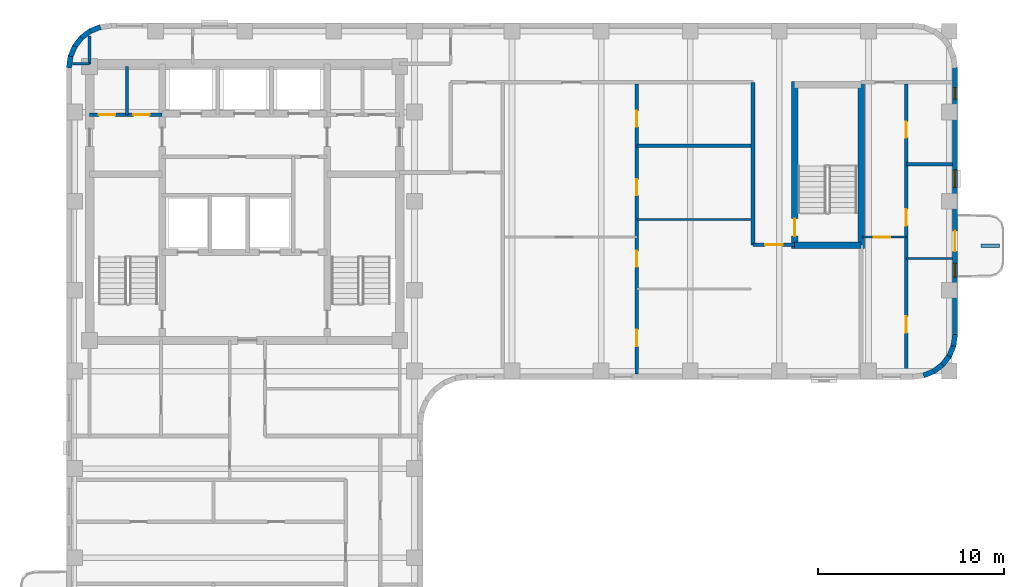
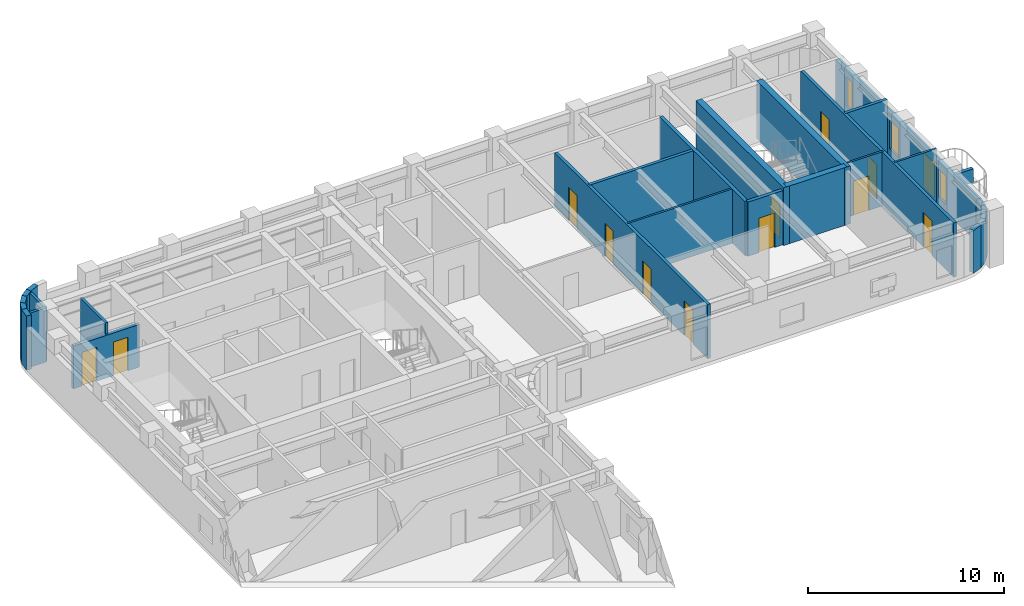
# One storey, part 5 of 10: 28 walls, 13 doors, 3 windows, 16 openings.
"""IFC4 building model written with IfcOpenShell, lengths in metres."""

from ifc_helpers import new_model, si_unit, direction, frame, frame_2d, origin, place, context, subcontext, project, spatial, rectangle, extrude, material, layer, layer_set, type_object, element, fill, save


model = new_model("IFC4")

# Units and contexts
model_context = context("Model", 3, precision=1e-05, world=origin(), true_north=direction((0.0, 1.0)))
body_context = subcontext(model_context, "Body", "Model", "MODEL_VIEW")
ifc_project = project(units=[si_unit("LENGTHUNIT", "METRE"), si_unit("AREAUNIT", "SQUARE_METRE"), si_unit("VOLUMEUNIT", "CUBIC_METRE"), si_unit("PLANEANGLEUNIT", "RADIAN"), si_unit("MASSUNIT", "GRAM", prefix="KILO")], contexts=[model_context])

# Site, building, storey
site_placement = place(None, origin())
site = spatial("IfcSite", under=ifc_project, at=site_placement, CompositionType="ELEMENT")
building_placement = place(site_placement, origin())
building = spatial("IfcBuilding", under=site, at=building_placement, Name="Orvandelia Arch Residences", CompositionType="ELEMENT")
storey_placement = place(building_placement, frame((0.0, 0.0, 229.0)))
storey = spatial("IfcBuildingStorey", under=building, at=storey_placement, Name="L60", CompositionType="ELEMENT", Elevation=229.0)

# Wall, opening, door
ifc_material_1 = material(Name="Concrete C50/60", Category="concrete")
ifc_layer_1 = layer(ifc_material_1, 0.35009765625, Name="Concrete C50/60", Category="concrete")
ifc_layer_set_1 = layer_set([ifc_layer_1], Name="Concrete C50/60")
wall_type_1 = type_object("IfcWallType", Name="WL-CORE-350", PredefinedType="SHEAR", material=ifc_layer_set_1)
wall_1_placement = place(storey_placement, frame((44.02001953125, 35.864990234375, 0.0), z_axis=(0.0, 0.0, 1.0), x_axis=(0.0, 1.0, 0.0)))
wall_1 = element("IfcWall", 1, at=wall_1_placement, inside=storey, type_object=wall_type_1, Name="East Stair Core Shear Wall L60-W", PredefinedType="SHEAR", context=body_context, shape_type="SweptSolid", body=[
    extrude(rectangle(XDim=8.969970703125, YDim=0.35009765625, at=frame_2d((4.48486328125, 0.0))), origin(), (0.0, 0.0, 1.0), 3.60009765625),
])
opening_1_placement = place(wall_1_placement, frame((0.64990234375, 0.0, 0.0)))
opening_1 = element("IfcOpeningElement", 2, at=opening_1_placement, cuts=wall_1, Name="Opening D7", PredefinedType="OPENING", context=body_context, shape_type="SweptSolid", body=[
    extrude(rectangle(XDim=0.949951171875, YDim=2.10009765625, at=frame_2d((0.47509765625, 1.050048828125))), frame((0.0, 0.18505859375, 0.0), z_axis=(0.0, -1.0, 0.0), x_axis=(1.0, 0.0, 0.0)), (0.0, 0.0, 1.0), 0.3701171875),
])
ifc_material_2 = material(Name="Pressurised Stairwell Fire Door")
door_type_1 = type_object("IfcDoorType", Name="DR-STAIR-950", OperationType="NOTDEFINED", PredefinedType="DOOR", material=ifc_material_2)
door_1_placement = place(opening_1_placement, origin())
door_1 = element("IfcDoor", 3, at=door_1_placement, inside=storey, type_object=door_type_1, Name="East Stairwell ST-3 Fire Door L60", OperationType="SINGLE_SWING_LEFT", OverallHeight=2.10009765625, OverallWidth=0.949951171875, PredefinedType="DOOR", context=body_context, shape_type="SweptSolid", body=[
    extrude(rectangle(XDim=0.949951171875, YDim=2.10009765625, at=frame_2d((0.47509765625, 1.050048828125))), frame((0.0, 0.02490234375, 0.0), z_axis=(0.0, -1.0, 0.0), x_axis=(1.0, 0.0, 0.0)), (0.0, 0.0, 1.0), 0.050048828125),
])
fill(opening_1, door_1)

# Walls
wall_2_placement = place(storey_placement, frame((47.60009765625, 35.864990234375, 0.0), z_axis=(0.0, 0.0, 1.0), x_axis=(0.0, 1.0, 0.0)))
element("IfcWall", 4, at=wall_2_placement, inside=storey, type_object=wall_type_1, Name="East Stair Core Shear Wall L60-E", PredefinedType="SHEAR", context=body_context, shape_type="SweptSolid", body=[
    extrude(rectangle(XDim=8.969970703125, YDim=0.35009765625, at=frame_2d((4.48486328125, 0.0))), origin(), (0.0, 0.0, 1.0), 3.60009765625),
])
wall_3_placement = place(storey_placement, frame((44.02001953125, 36.0400390625, 0.0), z_axis=(0.0, 0.0, 1.0), x_axis=(1.0, 0.0, 0.0)))
element("IfcWall", 5, at=wall_3_placement, inside=storey, type_object=wall_type_1, Name="East Stair Core Shear Wall L60-S", PredefinedType="SHEAR", context=body_context, shape_type="SweptSolid", body=[
    extrude(rectangle(XDim=3.580078125, YDim=0.35009765625, at=frame_2d((1.7900390625, 0.0))), origin(), (0.0, 0.0, 1.0), 3.60009765625),
])
ifc_material_3 = material(Name="Fire-Rated Corridor Partition")
ifc_layer_2 = layer(ifc_material_3, 0.199951171875, Name="Fire-Rated Corridor Partition")
ifc_layer_set_2 = layer_set([ifc_layer_2], Name="Fire-Rated Corridor Partition")
wall_type_2 = type_object("IfcWallType", Name="WL-CORR-200", PredefinedType="PARTITIONING", material=ifc_layer_set_2)
wall_4_placement = place(storey_placement, frame((41.780029296875, 36.050048828125, 0.0), z_axis=(0.0, 0.0, 1.0), x_axis=(0.0, 1.0, 0.0)))
element("IfcWall", 6, at=wall_4_placement, inside=storey, type_object=wall_type_2, Name="Interior Partition Wall WL-L60-EN2-SW", PredefinedType="PARTITIONING", context=body_context, shape_type="SweptSolid", body=[
    extrude(rectangle(XDim=8.75, YDim=0.199951171875, at=frame_2d((4.375, 0.0))), origin(), (0.0, 0.0, 1.0), 3.3798828125),
])

# Wall, opening, door
wall_5_placement = place(storey_placement, frame((41.780029296875, 36.050048828125, 0.0), z_axis=(0.0, 0.0, 1.0), x_axis=(1.0, 0.0, 0.0)))
wall_5 = element("IfcWall", 7, at=wall_5_placement, inside=storey, type_object=wall_type_2, Name="Interior Partition Wall WL-L60-EN2-SS", PredefinedType="PARTITIONING", context=body_context, shape_type="SweptSolid", body=[
    extrude(rectangle(XDim=2.239990234375, YDim=0.199951171875, at=frame_2d((1.1201171875, 0.0))), origin(), (0.0, 0.0, 1.0), 3.3798828125),
])
opening_2_placement = place(wall_5_placement, frame((0.64990234375, 0.0, 0.0)))
opening_2 = element("IfcOpeningElement", 8, at=opening_2_placement, cuts=wall_5, Name="Opening D2", PredefinedType="OPENING", context=body_context, shape_type="SweptSolid", body=[
    extrude(rectangle(XDim=0.949951171875, YDim=2.14990234375, at=frame_2d((0.47509765625, 1.074951171875))), frame((0.0, 0.10986328125, 0.0), z_axis=(0.0, -1.0, 0.0), x_axis=(1.0, 0.0, 0.0)), (0.0, 0.0, 1.0), 0.219970703125),
])
ifc_material_4 = material(Name="Solid-Core Timber Interior Fire Door", Category="wood")
door_type_2 = type_object("IfcDoorType", Name="DR-APT-950", OperationType="NOTDEFINED", PredefinedType="DOOR", material=ifc_material_4)
door_2_placement = place(opening_2_placement, origin())
door_2 = element("IfcDoor", 9, at=door_2_placement, inside=storey, type_object=door_type_2, Name="DR-L60-EN2SLN", OperationType="SINGLE_SWING_LEFT", OverallHeight=2.14990234375, OverallWidth=0.949951171875, PredefinedType="DOOR", context=body_context, shape_type="SweptSolid", body=[
    extrude(rectangle(XDim=0.949951171875, YDim=2.14990234375, at=frame_2d((0.47509765625, 1.074951171875))), frame((0.0, 0.02490234375, 0.0), z_axis=(0.0, -1.0, 0.0), x_axis=(1.0, 0.0, 0.0)), (0.0, 0.0, 1.0), 0.050048828125),
])
fill(opening_2, door_2)

# Walls
ifc_material_5 = material(Name="Precast concrete C40/50", Category="concrete")
ifc_layer_3 = layer(ifc_material_5, 0.280029296875, Name="Precast concrete C40/50", Category="concrete")
ifc_layer_set_3 = layer_set([ifc_layer_3], Name="Precast concrete C40/50")
wall_type_3 = type_object("IfcWallType", Name="WL-EXT-STONE-280", PredefinedType="STANDARD", material=ifc_layer_set_3)
for number, where, z_axis, x_axis, name in (
    (10, (4.938720703125, 45.581787109375, 0.0), (0.0, 0.0, 1.0), (0.130555323746, 0.9914410257, 0.0), "Coral-Limestone Precast Facade Wall L60-001"),
    (11, (5.010986328125, 46.16748046875, 0.0), (0.0, 0.0, 1.0), (0.382650053678, 0.92389335771, 0.0), "Coral-Limestone Precast Facade Wall L60-002"),
    (12, (5.232666015625, 46.71484375, 0.0), (0.0, 0.0, 1.0), (0.608693302629, 0.793405610854, 0.0), "Coral-Limestone Precast Facade Wall L60-003"),
    (13, (5.588134765625, 47.18603515625, 0.0), (0.0, 0.0, 1.0), (0.793405610854, 0.608693302629, 0.0), "Coral-Limestone Precast Facade Wall L60-004"),
):
    element("IfcWall", number, at=place(storey_placement, frame(where, z_axis=z_axis, x_axis=x_axis)), inside=storey, type_object=wall_type_3, Name=name, PredefinedType="STANDARD", context=body_context, shape_type="SweptSolid", body=[
        extrude(rectangle(XDim=0.62646484375, YDim=0.280029296875, at=frame_2d((0.313232421875, 0.0))), origin(), (0.0, 0.0, 1.0), 3.3798828125),
    ])
wall_6_placement = place(storey_placement, frame((6.0537109375, 47.54931640625, 0.0), z_axis=(0.0, 0.0, 1.0), x_axis=(0.923974080304, 0.382455093999, 0.0)))
element("IfcWall", 14, at=wall_6_placement, inside=storey, type_object=wall_type_3, Name="Coral-Limestone Precast Facade Wall L60-005", PredefinedType="STANDARD", context=body_context, shape_type="SweptSolid", body=[
    extrude(rectangle(XDim=0.626220703125, YDim=0.280029296875, at=frame_2d((0.31298828125, 0.0))), origin(), (0.0, 0.0, 1.0), 3.3798828125),
])

# Wall, openings, door, windows
wall_7_placement = place(storey_placement, frame((52.659912109375, 45.60009765625, 0.0), z_axis=(0.0, 0.0, 1.0), x_axis=(0.0, -1.0, 0.0)))
wall_7 = element("IfcWall", 15, at=wall_7_placement, inside=storey, type_object=wall_type_3, Name="Coral-Limestone Precast Facade Wall L60-014", PredefinedType="STANDARD", context=body_context, shape_type="SweptSolid", body=[
    extrude(rectangle(XDim=14.400146484375, YDim=0.280029296875, at=frame_2d((7.2001953125, 0.0))), origin(), (0.0, 0.0, 1.0), 2.659912109375),
])
opening_3_placement = place(wall_7_placement, frame((8.800048828125, 0.0, 0.0)))
opening_3 = element("IfcOpeningElement", 16, at=opening_3_placement, cuts=wall_7, Name="Opening BD1", PredefinedType="OPENING", context=body_context, shape_type="SweptSolid", body=[
    extrude(rectangle(XDim=1.10009765625, YDim=2.14990234375, at=frame_2d((0.550048828125, 1.074951171875))), frame((0.0, 0.14990234375, 0.0), z_axis=(0.0, -1.0, 0.0), x_axis=(1.0, 0.0, 0.0)), (0.0, 0.0, 1.0), 0.300048828125),
])
opening_4_placement = place(wall_7_placement, frame((10.54443359375, 0.0, 0.449951171875)))
opening_4 = element("IfcOpeningElement", 17, at=opening_4_placement, cuts=wall_7, Name="Opening W11", PredefinedType="OPENING", context=body_context, shape_type="SweptSolid", body=[
    extrude(rectangle(XDim=0.75, YDim=1.800048828125, at=frame_2d((0.375, 0.89990234375))), frame((0.0, 0.14990234375, 0.0), z_axis=(0.0, -1.0, 0.0), x_axis=(1.0, 0.0, 0.0)), (0.0, 0.0, 1.0), 0.300048828125),
])
opening_5_placement = place(wall_7_placement, frame((1.08740234375, 0.0, 0.449951171875)))
opening_5 = element("IfcOpeningElement", 18, at=opening_5_placement, cuts=wall_7, Name="Opening W12", PredefinedType="OPENING", context=body_context, shape_type="SweptSolid", body=[
    extrude(rectangle(XDim=0.60009765625, YDim=1.800048828125, at=frame_2d((0.300048828125, 0.89990234375))), frame((0.0, 0.14990234375, 0.0), z_axis=(0.0, -1.0, 0.0), x_axis=(1.0, 0.0, 0.0)), (0.0, 0.0, 1.0), 0.300048828125),
])
opening_6_placement = place(wall_7_placement, frame((5.510986328125, 0.0, 0.449951171875)))
opening_6 = element("IfcOpeningElement", 19, at=opening_6_placement, cuts=wall_7, Name="Opening W4", PredefinedType="OPENING", context=body_context, shape_type="SweptSolid", body=[
    extrude(rectangle(XDim=0.949951171875, YDim=1.800048828125, at=frame_2d((0.47509765625, 0.89990234375))), frame((0.0, 0.14990234375, 0.0), z_axis=(0.0, -1.0, 0.0), x_axis=(1.0, 0.0, 0.0)), (0.0, 0.0, 1.0), 0.300048828125),
])
ifc_material_6 = material(Name="Thermally Broken Aluminium Glazed Door", Category="aluminium")
door_type_3 = type_object("IfcDoorType", Name="DR-BAL-GLAZ-1100", OperationType="NOTDEFINED", PredefinedType="DOOR", material=ifc_material_6)
door_3_placement = place(opening_3_placement, origin())
door_3 = element("IfcDoor", 20, at=door_3_placement, inside=storey, type_object=door_type_3, Name="Tree Balcony Glazed Door BAL-L60-E1", OperationType="SINGLE_SWING_LEFT", OverallHeight=2.14990234375, OverallWidth=1.10009765625, PredefinedType="DOOR", context=body_context, shape_type="SweptSolid", body=[
    extrude(rectangle(XDim=1.10009765625, YDim=2.14990234375, at=frame_2d((0.550048828125, 1.074951171875))), frame((0.0, 0.02490234375, 0.0), z_axis=(0.0, -1.0, 0.0), x_axis=(1.0, 0.0, 0.0)), (0.0, 0.0, 1.0), 0.050048828125),
])
fill(opening_3, door_3)
ifc_material_7 = material(Name="Tempered Low-E Insulated Glazing", Category="glass")
window_type_1 = type_object("IfcWindowType", Name="WIN-BED-0750x1800", PartitioningType="SINGLE_PANEL", PredefinedType="WINDOW", material=ifc_material_7)
window_1_placement = place(opening_4_placement, origin())
window_1 = element("IfcWindow", 21, at=window_1_placement, inside=storey, type_object=window_type_1, Name="Recessed Punched Window L60-004", OverallHeight=1.800048828125, OverallWidth=0.75, PartitioningType="SINGLE_PANEL", PredefinedType="WINDOW", context=body_context, shape_type="SweptSolid", body=[
    extrude(rectangle(XDim=0.75, YDim=1.800048828125, at=frame_2d((0.375, 0.89990234375))), frame((0.0, 0.030029296875, 0.0), z_axis=(0.0, -1.0, 0.0), x_axis=(1.0, 0.0, 0.0)), (0.0, 0.0, 1.0), 0.06005859375),
])
fill(opening_4, window_1)
window_type_2 = type_object("IfcWindowType", Name="WIN-LAN-0600x1800", PartitioningType="SINGLE_PANEL", PredefinedType="WINDOW", material=ifc_material_7)
window_2_placement = place(opening_5_placement, origin())
window_2 = element("IfcWindow", 22, at=window_2_placement, inside=storey, type_object=window_type_2, Name="Recessed Punched Window L60-005", OverallHeight=1.800048828125, OverallWidth=0.60009765625, PartitioningType="SINGLE_PANEL", PredefinedType="WINDOW", context=body_context, shape_type="SweptSolid", body=[
    extrude(rectangle(XDim=0.60009765625, YDim=1.800048828125, at=frame_2d((0.300048828125, 0.89990234375))), frame((0.0, 0.030029296875, 0.0), z_axis=(0.0, -1.0, 0.0), x_axis=(1.0, 0.0, 0.0)), (0.0, 0.0, 1.0), 0.06005859375),
])
fill(opening_5, window_2)
window_type_3 = type_object("IfcWindowType", Name="WIN-RES-0950x1800", PartitioningType="SINGLE_PANEL", PredefinedType="WINDOW", material=ifc_material_7)
window_3_placement = place(opening_6_placement, origin())
window_3 = element("IfcWindow", 23, at=window_3_placement, inside=storey, type_object=window_type_3, Name="Recessed Punched Window L60-006", OverallHeight=1.800048828125, OverallWidth=0.949951171875, PartitioningType="SINGLE_PANEL", PredefinedType="WINDOW", context=body_context, shape_type="SweptSolid", body=[
    extrude(rectangle(XDim=0.949951171875, YDim=1.800048828125, at=frame_2d((0.47509765625, 0.89990234375))), frame((0.0, 0.030029296875, 0.0), z_axis=(0.0, -1.0, 0.0), x_axis=(1.0, 0.0, 0.0)), (0.0, 0.0, 1.0), 0.06005859375),
])
fill(opening_6, window_3)

# Walls
wall_8_placement = place(storey_placement, frame((52.6611328125, 31.21826171875, 0.0), z_axis=(0.0, 0.0, 1.0), x_axis=(-0.130555323746, -0.9914410257, 0.0)))
element("IfcWall", 24, at=wall_8_placement, inside=storey, type_object=wall_type_3, Name="Coral-Limestone Precast Facade Wall L60-015", PredefinedType="STANDARD", context=body_context, shape_type="SweptSolid", body=[
    extrude(rectangle(XDim=0.62646484375, YDim=0.280029296875, at=frame_2d((0.313232421875, 0.0))), origin(), (0.0, 0.0, 1.0), 2.659912109375),
])
wall_9_placement = place(storey_placement, frame((52.5888671875, 30.63232421875, 0.0), z_axis=(0.0, 0.0, 1.0), x_axis=(-0.382787856107, -0.923836271867, 0.0)))
element("IfcWall", 25, at=wall_9_placement, inside=storey, type_object=wall_type_3, Name="Coral-Limestone Precast Facade Wall L60-016", PredefinedType="STANDARD", context=body_context, shape_type="SweptSolid", body=[
    extrude(rectangle(XDim=0.626220703125, YDim=0.280029296875, at=frame_2d((0.31298828125, 0.0))), origin(), (0.0, 0.0, 1.0), 2.659912109375),
])
for number, where, z_axis, x_axis, name in (
    (26, (52.367431640625, 30.085205078125, 0.0), (0.0, 0.0, 1.0), (-0.608693302629, -0.793405610854, 0.0), "Coral-Limestone Precast Facade Wall L60-017"),
    (27, (52.011962890625, 29.614013671875, 0.0), (0.0, 0.0, 1.0), (-0.793405610854, -0.608693302629, 0.0), "Coral-Limestone Precast Facade Wall L60-018"),
    (28, (51.54638671875, 29.250732421875, 0.0), (0.0, 0.0, 1.0), (-0.92389335771, -0.382650053678, 0.0), "Coral-Limestone Precast Facade Wall L60-019"),
):
    element("IfcWall", number, at=place(storey_placement, frame(where, z_axis=z_axis, x_axis=x_axis)), inside=storey, type_object=wall_type_3, Name=name, PredefinedType="STANDARD", context=body_context, shape_type="SweptSolid", body=[
        extrude(rectangle(XDim=0.62646484375, YDim=0.280029296875, at=frame_2d((0.313232421875, 0.0))), origin(), (0.0, 0.0, 1.0), 2.659912109375),
    ])
ifc_material_8 = material(Name="Lightweight Gypsum Stud Partition")
ifc_layer_4 = layer(ifc_material_8, 0.1201171875, Name="Lightweight Gypsum Stud Partition")
ifc_layer_set_4 = layer_set([ifc_layer_4], Name="Lightweight Gypsum Stud Partition")
wall_type_4 = type_object("IfcWallType", Name="WL-PART-120", PredefinedType="PARTITIONING", material=ifc_layer_set_4)
wall_10_placement = place(storey_placement, frame((35.528076171875, 37.4208984375, 0.0), z_axis=(0.0, 0.0, 1.0), x_axis=(1.0, 0.0, 0.0)))
element("IfcWall", 29, at=wall_10_placement, inside=storey, type_object=wall_type_4, Name="Interior Partition Wall WL-L60-U04-H1B", PredefinedType="PARTITIONING", context=body_context, shape_type="SweptSolid", body=[
    extrude(rectangle(XDim=6.15185546875, YDim=0.1201171875, at=frame_2d((3.075927734375, 0.0))), origin(), (0.0, 0.0, 1.0), 3.3798828125),
])

# Wall, opening, door
wall_11_placement = place(storey_placement, frame((47.639892578125, 36.468017578125, 0.0), z_axis=(0.0, 0.0, 1.0), x_axis=(1.0, 0.0, 0.0)))
wall_11 = element("IfcWall", 30, at=wall_11_placement, inside=storey, type_object=wall_type_4, Name="Interior Partition Wall WL-L60-U05-DIN", PredefinedType="PARTITIONING", context=body_context, shape_type="SweptSolid", body=[
    extrude(rectangle(XDim=2.403076171875, YDim=0.1201171875, at=frame_2d((1.20166015625, 0.0))), origin(), (0.0, 0.0, 1.0), 3.3798828125),
])
opening_7_placement = place(wall_11_placement, frame((0.640380859375, 0.0, 0.0)))
opening_7 = element("IfcOpeningElement", 31, at=opening_7_placement, cuts=wall_11, Name="Opening D3", PredefinedType="OPENING", context=body_context, shape_type="SweptSolid", body=[
    extrude(rectangle(XDim=0.89990234375, YDim=2.14990234375, at=frame_2d((0.449951171875, 1.074951171875))), frame((0.0, 0.070068359375, 0.0), z_axis=(0.0, -1.0, 0.0), x_axis=(1.0, 0.0, 0.0)), (0.0, 0.0, 1.0), 0.14013671875),
])
ifc_material_9 = material(Name="Engineered Timber Flush Door", Category="wood")
door_type_4 = type_object("IfcDoorType", Name="DR-INT-900", OperationType="NOTDEFINED", PredefinedType="DOOR", material=ifc_material_9)
door_4_placement = place(opening_7_placement, origin())
door_4 = element("IfcDoor", 32, at=door_4_placement, inside=storey, type_object=door_type_4, Name="DR-L60-U05-DIN", OperationType="SINGLE_SWING_RIGHT", OverallHeight=2.14990234375, OverallWidth=0.89990234375, PredefinedType="DOOR", context=body_context, shape_type="SweptSolid", body=[
    extrude(rectangle(XDim=0.89990234375, YDim=2.14990234375, at=frame_2d((0.449951171875, 1.074951171875))), frame((0.0, 0.02490234375, 0.0), z_axis=(0.0, -1.0, 0.0), x_axis=(1.0, 0.0, 0.0)), (0.0, 0.0, 1.0), 0.050048828125),
])
fill(opening_7, door_4)

# Walls
wall_12_placement = place(storey_placement, frame((50.04296875, 35.31591796875, 0.0), z_axis=(0.0, 0.0, 1.0), x_axis=(1.0, 0.0, 0.0)))
element("IfcWall", 33, at=wall_12_placement, inside=storey, type_object=wall_type_4, Name="Interior Partition Wall WL-L60-U05-H1", PredefinedType="PARTITIONING", context=body_context, shape_type="SweptSolid", body=[
    extrude(rectangle(XDim=2.47705078125, YDim=0.1201171875, at=frame_2d((1.238525390625, 0.0))), origin(), (0.0, 0.0, 1.0), 3.3798828125),
])
ifc_material_10 = material(Name="Acoustic Gypsum Stud Partition")
ifc_layer_5 = layer(ifc_material_10, 0.14990234375, Name="Acoustic Gypsum Stud Partition")
ifc_layer_set_5 = layer_set([ifc_layer_5], Name="Acoustic Gypsum Stud Partition")
wall_type_5 = type_object("IfcWallType", Name="WL-PART-150", PredefinedType="PARTITIONING", material=ifc_layer_set_5)
wall_13_placement = place(storey_placement, frame((8.06005859375, 43.050048828125, 0.0), z_axis=(0.0, 0.0, 1.0), x_axis=(0.0, 1.0, 0.0)))
element("IfcWall", 34, at=wall_13_placement, inside=storey, type_object=wall_type_5, Name="Interior Partition Wall WL-L60-CRELC-M", PredefinedType="PARTITIONING", context=body_context, shape_type="SweptSolid", body=[
    extrude(rectangle(XDim=2.599853515625, YDim=0.14990234375, at=frame_2d((1.2998046875, 0.0))), origin(), (0.0, 0.0, 1.0), 3.3798828125),
])
wall_14_placement = place(storey_placement, frame((5.1201171875, 45.800048828125, 0.0), z_axis=(0.0, 0.0, 1.0), x_axis=(1.0, 0.0, 0.0)))
element("IfcWall", 35, at=wall_14_placement, inside=storey, type_object=wall_type_5, Name="Interior Partition Wall WL-L60-WF-N", PredefinedType="PARTITIONING", context=body_context, shape_type="SweptSolid", body=[
    extrude(rectangle(XDim=0.929931640625, YDim=0.14990234375, at=frame_2d((0.46484375, 0.0))), origin(), (0.0, 0.0, 1.0), 3.3798828125),
])
wall_15_placement = place(storey_placement, frame((6.050048828125, 45.800048828125, 0.0), z_axis=(0.0, 0.0, 1.0), x_axis=(0.0, 1.0, 0.0)))
element("IfcWall", 36, at=wall_15_placement, inside=storey, type_object=wall_type_5, Name="Interior Partition Wall WL-L60-NC-W6", PredefinedType="PARTITIONING", context=body_context, shape_type="SweptSolid", body=[
    extrude(rectangle(XDim=1.5, YDim=0.14990234375, at=frame_2d((0.75, 0.0))), origin(), (0.0, 0.0, 1.0), 3.3798828125),
])
ifc_layer_6 = layer(ifc_material_5, 0.199951171875, Name="Precast concrete C40/50", Category="concrete")
ifc_layer_set_6 = layer_set([ifc_layer_6], Name="Precast concrete C40/50")
wall_type_6 = type_object("IfcWallType", Name="WL-PLANTER-200", PredefinedType="MOVABLE", material=ifc_layer_set_6)
wall_16_placement = place(storey_placement, frame((54.050048828125, 36.0, 0.0), z_axis=(0.0, 0.0, 1.0), x_axis=(1.0, 0.0, 0.0)))
element("IfcWall", 37, at=wall_16_placement, inside=storey, type_object=wall_type_6, Name="Balcony Precast Tree Planter BAL-L60-E1", PredefinedType="MOVABLE", context=body_context, shape_type="SweptSolid", body=[
    extrude(rectangle(XDim=1.0, YDim=0.199951171875, at=frame_2d((0.5, 0.0))), origin(), (0.0, 0.0, 1.0), 0.85009765625),
])

# Wall, openings, doors
ifc_material_11 = material(Name="Fire-Rated Shaft Enclosure Wall")
ifc_layer_7 = layer(ifc_material_11, 0.199951171875, Name="Fire-Rated Shaft Enclosure Wall")
ifc_layer_set_7 = layer_set([ifc_layer_7], Name="Fire-Rated Shaft Enclosure Wall")
wall_type_7 = type_object("IfcWallType", Name="WL-SHAFT-200", PredefinedType="POLYGONAL", material=ifc_layer_set_7)
wall_17_placement = place(storey_placement, frame((6.050048828125, 43.050048828125, 0.0), z_axis=(0.0, 0.0, 1.0), x_axis=(1.0, 0.0, 0.0)))
wall_17 = element("IfcWall", 38, at=wall_17_placement, inside=storey, type_object=wall_type_7, Name="Interior Partition Wall WL-L60-HLW-N", PredefinedType="POLYGONAL", context=body_context, shape_type="SweptSolid", body=[
    extrude(rectangle(XDim=3.909912109375, YDim=0.199951171875, at=frame_2d((1.955078125, 0.0))), origin(), (0.0, 0.0, 1.0), 2.659912109375),
])
opening_8_placement = place(wall_17_placement, frame((0.5, 0.0, 0.0)))
opening_8 = element("IfcOpeningElement", 39, at=opening_8_placement, cuts=wall_17, Name="Opening D5", PredefinedType="OPENING", context=body_context, shape_type="SweptSolid", body=[
    extrude(rectangle(XDim=0.8798828125, YDim=2.10009765625, at=frame_2d((0.43994140625, 1.050048828125))), frame((0.0, 0.10986328125, 0.0), z_axis=(0.0, -1.0, 0.0), x_axis=(1.0, 0.0, 0.0)), (0.0, 0.0, 1.0), 0.219970703125),
])
opening_9_placement = place(wall_17_placement, frame((2.35009765625, 0.0, 0.0)))
opening_9 = element("IfcOpeningElement", 40, at=opening_9_placement, cuts=wall_17, Name="Opening D5", PredefinedType="OPENING", context=body_context, shape_type="SweptSolid", body=[
    extrude(rectangle(XDim=0.8798828125, YDim=2.10009765625, at=frame_2d((0.43994140625, 1.050048828125))), frame((0.0, 0.10986328125, 0.0), z_axis=(0.0, -1.0, 0.0), x_axis=(1.0, 0.0, 0.0)), (0.0, 0.0, 1.0), 0.219970703125),
])
ifc_material_12 = material(Name="Painted Galvanised Steel Service Door", Category="steel")
door_type_5 = type_object("IfcDoorType", Name="DR-SRV-880", OperationType="NOTDEFINED", PredefinedType="DOOR", material=ifc_material_12)
door_5_placement = place(opening_8_placement, origin())
door_5 = element("IfcDoor", 41, at=door_5_placement, inside=storey, type_object=door_type_5, Name="DR-L60-CRELC1", OperationType="SINGLE_SWING_LEFT", OverallHeight=2.10009765625, OverallWidth=0.8798828125, PredefinedType="DOOR", context=body_context, shape_type="SweptSolid", body=[
    extrude(rectangle(XDim=0.8798828125, YDim=2.10009765625, at=frame_2d((0.43994140625, 1.050048828125))), frame((0.0, 0.02490234375, 0.0), z_axis=(0.0, -1.0, 0.0), x_axis=(1.0, 0.0, 0.0)), (0.0, 0.0, 1.0), 0.050048828125),
])
fill(opening_8, door_5)
door_6_placement = place(opening_9_placement, origin())
door_6 = element("IfcDoor", 42, at=door_6_placement, inside=storey, type_object=door_type_5, Name="DR-L60-CRELC2", OperationType="SINGLE_SWING_RIGHT", OverallHeight=2.10009765625, OverallWidth=0.8798828125, PredefinedType="DOOR", context=body_context, shape_type="SweptSolid", body=[
    extrude(rectangle(XDim=0.8798828125, YDim=2.10009765625, at=frame_2d((0.43994140625, 1.050048828125))), frame((0.0, 0.02490234375, 0.0), z_axis=(0.0, -1.0, 0.0), x_axis=(1.0, 0.0, 0.0)), (0.0, 0.0, 1.0), 0.050048828125),
])
fill(opening_9, door_6)

ifc_material_13 = material(Name="Moisture-Resistant Plumbing Wall")
ifc_layer_8 = layer(ifc_material_13, 0.179931640625, Name="Moisture-Resistant Plumbing Wall")
ifc_layer_set_8 = layer_set([ifc_layer_8], Name="Moisture-Resistant Plumbing Wall")
wall_type_8 = type_object("IfcWallType", Name="WL-WET-180", PredefinedType="PLUMBINGWALL", material=ifc_layer_set_8)
wall_18_placement = place(storey_placement, frame((35.528076171875, 29.080078125, 0.0), z_axis=(0.0, 0.0, 1.0), x_axis=(0.0, 1.0, 0.0)))
wall_18 = element("IfcWall", 43, at=wall_18_placement, inside=storey, type_object=wall_type_8, Name="Interior Partition Wall WL-L60-U04-VT", PredefinedType="PLUMBINGWALL", context=body_context, shape_type="SweptSolid", body=[
    extrude(rectangle(XDim=15.619873046875, YDim=0.179931640625, at=frame_2d((7.81005859375, 0.0))), origin(), (0.0, 0.0, 1.0), 3.3798828125),
])
opening_10_placement = place(wall_18_placement, frame((1.5048828125, 0.0, 0.0)))
opening_10 = element("IfcOpeningElement", 44, at=opening_10_placement, cuts=wall_18, Name="Opening D3", PredefinedType="OPENING", context=body_context, shape_type="SweptSolid", body=[
    extrude(rectangle(XDim=0.89990234375, YDim=2.14990234375, at=frame_2d((0.449951171875, 1.074951171875))), frame((0.0, 0.10009765625, 0.0), z_axis=(0.0, -1.0, 0.0), x_axis=(1.0, 0.0, 0.0)), (0.0, 0.0, 1.0), 0.199951171875),
])
opening_11_placement = place(wall_18_placement, frame((5.783447265625, 0.0, 0.0)))
opening_11 = element("IfcOpeningElement", 45, at=opening_11_placement, cuts=wall_18, Name="Opening D4", PredefinedType="OPENING", context=body_context, shape_type="SweptSolid", body=[
    extrude(rectangle(XDim=0.860107421875, YDim=2.10009765625, at=frame_2d((0.43017578125, 1.050048828125))), frame((0.0, 0.10009765625, 0.0), z_axis=(0.0, -1.0, 0.0), x_axis=(1.0, 0.0, 0.0)), (0.0, 0.0, 1.0), 0.199951171875),
])
opening_12_placement = place(wall_18_placement, frame((9.632568359375, 0.0, 0.0)))
opening_12 = element("IfcOpeningElement", 46, at=opening_12_placement, cuts=wall_18, Name="Opening D4", PredefinedType="OPENING", context=body_context, shape_type="SweptSolid", body=[
    extrude(rectangle(XDim=0.860107421875, YDim=2.10009765625, at=frame_2d((0.43017578125, 1.050048828125))), frame((0.0, 0.10009765625, 0.0), z_axis=(0.0, -1.0, 0.0), x_axis=(1.0, 0.0, 0.0)), (0.0, 0.0, 1.0), 0.199951171875),
])
opening_13_placement = place(wall_18_placement, frame((13.327392578125, 0.0, 0.0)))
opening_13 = element("IfcOpeningElement", 47, at=opening_13_placement, cuts=wall_18, Name="Opening D4", PredefinedType="OPENING", context=body_context, shape_type="SweptSolid", body=[
    extrude(rectangle(XDim=0.860107421875, YDim=2.10009765625, at=frame_2d((0.43017578125, 1.050048828125))), frame((0.0, 0.10009765625, 0.0), z_axis=(0.0, -1.0, 0.0), x_axis=(1.0, 0.0, 0.0)), (0.0, 0.0, 1.0), 0.199951171875),
])
door_7_placement = place(opening_10_placement, origin())
door_7 = element("IfcDoor", 48, at=door_7_placement, inside=storey, type_object=door_type_4, Name="DR-L60-U04-BD1", OperationType="SINGLE_SWING_RIGHT", OverallHeight=2.14990234375, OverallWidth=0.89990234375, PredefinedType="DOOR", context=body_context, shape_type="SweptSolid", body=[
    extrude(rectangle(XDim=0.89990234375, YDim=2.14990234375, at=frame_2d((0.449951171875, 1.074951171875))), frame((0.0, 0.02490234375, 0.0), z_axis=(0.0, -1.0, 0.0), x_axis=(1.0, 0.0, 0.0)), (0.0, 0.0, 1.0), 0.050048828125),
])
fill(opening_10, door_7)
ifc_material_14 = material(Name="Moisture-Sealed Timber Bathroom Door", Category="wood")
door_type_6 = type_object("IfcDoorType", Name="DR-WET-900", OperationType="NOTDEFINED", PredefinedType="DOOR", material=ifc_material_14)
door_8_placement = place(opening_11_placement, origin())
door_8 = element("IfcDoor", 49, at=door_8_placement, inside=storey, type_object=door_type_6, Name="DR-L60-U04-STDY", OperationType="SINGLE_SWING_LEFT", OverallHeight=2.10009765625, OverallWidth=0.860107421875, PredefinedType="DOOR", context=body_context, shape_type="SweptSolid", body=[
    extrude(rectangle(XDim=0.860107421875, YDim=2.10009765625, at=frame_2d((0.43017578125, 1.050048828125))), frame((0.0, 0.02490234375, 0.0), z_axis=(0.0, -1.0, 0.0), x_axis=(1.0, 0.0, 0.0)), (0.0, 0.0, 1.0), 0.050048828125),
])
fill(opening_11, door_8)
door_9_placement = place(opening_12_placement, origin())
door_9 = element("IfcDoor", 50, at=door_9_placement, inside=storey, type_object=door_type_6, Name="DR-L60-U04-KIT", OperationType="SINGLE_SWING_RIGHT", OverallHeight=2.10009765625, OverallWidth=0.860107421875, PredefinedType="DOOR", context=body_context, shape_type="SweptSolid", body=[
    extrude(rectangle(XDim=0.860107421875, YDim=2.10009765625, at=frame_2d((0.43017578125, 1.050048828125))), frame((0.0, 0.02490234375, 0.0), z_axis=(0.0, -1.0, 0.0), x_axis=(1.0, 0.0, 0.0)), (0.0, 0.0, 1.0), 0.050048828125),
])
fill(opening_12, door_9)
door_10_placement = place(opening_13_placement, origin())
door_10 = element("IfcDoor", 51, at=door_10_placement, inside=storey, type_object=door_type_6, Name="DR-L60-U04-BTH", OperationType="SINGLE_SWING_LEFT", OverallHeight=2.10009765625, OverallWidth=0.860107421875, PredefinedType="DOOR", context=body_context, shape_type="SweptSolid", body=[
    extrude(rectangle(XDim=0.860107421875, YDim=2.10009765625, at=frame_2d((0.43017578125, 1.050048828125))), frame((0.0, 0.02490234375, 0.0), z_axis=(0.0, -1.0, 0.0), x_axis=(1.0, 0.0, 0.0)), (0.0, 0.0, 1.0), 0.050048828125),
])
fill(opening_13, door_10)

# Wall
wall_19_placement = place(storey_placement, frame((35.528076171875, 41.39111328125, 0.0), z_axis=(0.0, 0.0, 1.0), x_axis=(1.0, 0.0, 0.0)))
element("IfcWall", 52, at=wall_19_placement, inside=storey, type_object=wall_type_8, Name="Interior Partition Wall WL-L60-U04-H2", PredefinedType="PLUMBINGWALL", context=body_context, shape_type="SweptSolid", body=[
    extrude(rectangle(XDim=6.15185546875, YDim=0.179931640625, at=frame_2d((3.075927734375, 0.0))), origin(), (0.0, 0.0, 1.0), 3.3798828125),
])

# Wall, openings, doors
wall_20_placement = place(storey_placement, frame((50.04296875, 29.080078125, 0.0), z_axis=(0.0, 0.0, 1.0), x_axis=(0.0, 1.0, 0.0)))
wall_20 = element("IfcWall", 53, at=wall_20_placement, inside=storey, type_object=wall_type_8, Name="Interior Partition Wall WL-L60-U05-VT", PredefinedType="PLUMBINGWALL", context=body_context, shape_type="SweptSolid", body=[
    extrude(rectangle(XDim=15.619873046875, YDim=0.179931640625, at=frame_2d((7.81005859375, 0.0))), origin(), (0.0, 0.0, 1.0), 3.3798828125),
])
opening_14_placement = place(wall_20_placement, frame((2.22265625, 0.0, 0.0)))
opening_14 = element("IfcOpeningElement", 54, at=opening_14_placement, cuts=wall_20, Name="Opening D3", PredefinedType="OPENING", context=body_context, shape_type="SweptSolid", body=[
    extrude(rectangle(XDim=0.89990234375, YDim=2.14990234375, at=frame_2d((0.449951171875, 1.074951171875))), frame((0.0, 0.10009765625, 0.0), z_axis=(0.0, -1.0, 0.0), x_axis=(1.0, 0.0, 0.0)), (0.0, 0.0, 1.0), 0.199951171875),
])
opening_15_placement = place(wall_20_placement, frame((7.998779296875, 0.0, 0.0)))
opening_15 = element("IfcOpeningElement", 55, at=opening_15_placement, cuts=wall_20, Name="Opening D3", PredefinedType="OPENING", context=body_context, shape_type="SweptSolid", body=[
    extrude(rectangle(XDim=0.89990234375, YDim=2.14990234375, at=frame_2d((0.449951171875, 1.074951171875))), frame((0.0, 0.10009765625, 0.0), z_axis=(0.0, -1.0, 0.0), x_axis=(1.0, 0.0, 0.0)), (0.0, 0.0, 1.0), 0.199951171875),
])
opening_16_placement = place(wall_20_placement, frame((12.75048828125, 0.0, 0.0)))
opening_16 = element("IfcOpeningElement", 56, at=opening_16_placement, cuts=wall_20, Name="Opening D4", PredefinedType="OPENING", context=body_context, shape_type="SweptSolid", body=[
    extrude(rectangle(XDim=0.860107421875, YDim=2.10009765625, at=frame_2d((0.43017578125, 1.050048828125))), frame((0.0, 0.10009765625, 0.0), z_axis=(0.0, -1.0, 0.0), x_axis=(1.0, 0.0, 0.0)), (0.0, 0.0, 1.0), 0.199951171875),
])
door_11_placement = place(opening_14_placement, origin())
door_11 = element("IfcDoor", 57, at=door_11_placement, inside=storey, type_object=door_type_4, Name="DR-L60-U05-BD1", OperationType="SINGLE_SWING_LEFT", OverallHeight=2.14990234375, OverallWidth=0.89990234375, PredefinedType="DOOR", context=body_context, shape_type="SweptSolid", body=[
    extrude(rectangle(XDim=0.89990234375, YDim=2.14990234375, at=frame_2d((0.449951171875, 1.074951171875))), frame((0.0, 0.02490234375, 0.0), z_axis=(0.0, -1.0, 0.0), x_axis=(1.0, 0.0, 0.0)), (0.0, 0.0, 1.0), 0.050048828125),
])
fill(opening_14, door_11)
door_12_placement = place(opening_15_placement, origin())
door_12 = element("IfcDoor", 58, at=door_12_placement, inside=storey, type_object=door_type_4, Name="DR-L60-U05-KIT", OperationType="SINGLE_SWING_RIGHT", OverallHeight=2.14990234375, OverallWidth=0.89990234375, PredefinedType="DOOR", context=body_context, shape_type="SweptSolid", body=[
    extrude(rectangle(XDim=0.89990234375, YDim=2.14990234375, at=frame_2d((0.449951171875, 1.074951171875))), frame((0.0, 0.02490234375, 0.0), z_axis=(0.0, -1.0, 0.0), x_axis=(1.0, 0.0, 0.0)), (0.0, 0.0, 1.0), 0.050048828125),
])
fill(opening_15, door_12)
door_13_placement = place(opening_16_placement, origin())
door_13 = element("IfcDoor", 59, at=door_13_placement, inside=storey, type_object=door_type_6, Name="DR-L60-U05-BTH", OperationType="SINGLE_SWING_LEFT", OverallHeight=2.10009765625, OverallWidth=0.860107421875, PredefinedType="DOOR", context=body_context, shape_type="SweptSolid", body=[
    extrude(rectangle(XDim=0.860107421875, YDim=2.10009765625, at=frame_2d((0.43017578125, 1.050048828125))), frame((0.0, 0.02490234375, 0.0), z_axis=(0.0, -1.0, 0.0), x_axis=(1.0, 0.0, 0.0)), (0.0, 0.0, 1.0), 0.050048828125),
])
fill(opening_16, door_13)

# Wall
wall_21_placement = place(storey_placement, frame((50.04296875, 40.383056640625, 0.0), z_axis=(0.0, 0.0, 1.0), x_axis=(1.0, 0.0, 0.0)))
element("IfcWall", 60, at=wall_21_placement, inside=storey, type_object=wall_type_8, Name="Interior Partition Wall WL-L60-U05-H2", PredefinedType="PLUMBINGWALL", context=body_context, shape_type="SweptSolid", body=[
    extrude(rectangle(XDim=2.47705078125, YDim=0.179931640625, at=frame_2d((1.238525390625, 0.0))), origin(), (0.0, 0.0, 1.0), 3.3798828125),
])

save(model, "model.ifc")
